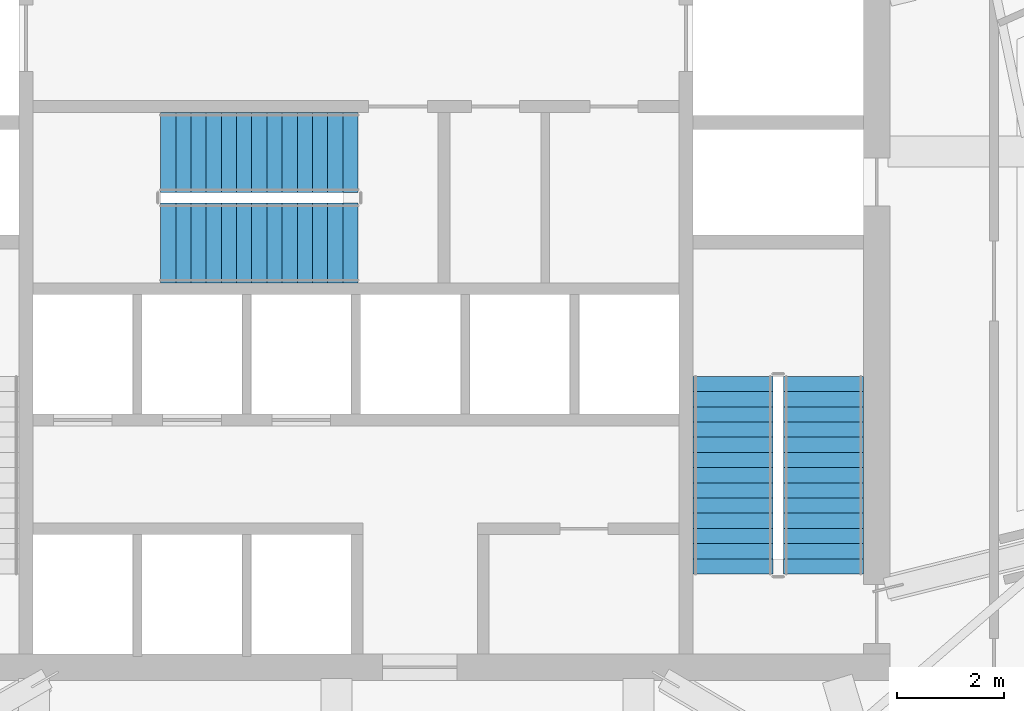
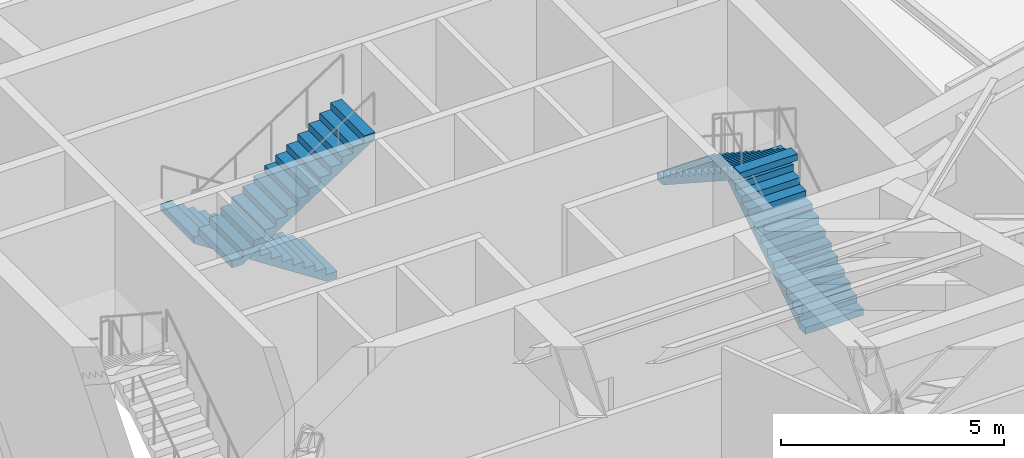
# One storey, part 10 of 12: 4 stair flights, 2 elements without a shape of their own.
"""IFC4 building model written with IfcOpenShell, lengths in metres."""

from ifc_helpers import new_model, si_unit, direction, frame, origin, place, context, subcontext, project, spatial, polyline, outline, extrude, material, type_object, element, aggregate, save


model = new_model("IFC4")

# Units and contexts
model_context = context("Model", 3, precision=1e-05, world=origin(), true_north=direction((0.0, 1.0)))
body_context = subcontext(model_context, "Body", "Model", "MODEL_VIEW")
ifc_project = project(units=[si_unit("LENGTHUNIT", "METRE"), si_unit("AREAUNIT", "SQUARE_METRE"), si_unit("VOLUMEUNIT", "CUBIC_METRE"), si_unit("PLANEANGLEUNIT", "RADIAN"), si_unit("MASSUNIT", "GRAM", prefix="KILO")], contexts=[model_context])

# Site, building, storey
site_placement = place(None, origin())
site = spatial("IfcSite", under=ifc_project, at=site_placement, CompositionType="ELEMENT")
building_placement = place(site_placement, origin())
building = spatial("IfcBuilding", under=site, at=building_placement, Name="Kavelnor Concourse Tower", CompositionType="ELEMENT")
storey_placement = place(building_placement, frame((0.0, 0.0, 75.300048828125)))
storey = spatial("IfcBuildingStorey", under=building, at=storey_placement, Name="L19", CompositionType="ELEMENT", Elevation=75.300048828125)

# Stair, stair flights
ifc_material = material(Name="Concrete C40/50", Category="concrete")
stair_type = type_object("IfcStairType", Name="STR-CORE-1500", PredefinedType="HALF_TURN_STAIR", material=ifc_material)
stair_1_placement = place(storey_placement, origin())
stair_1 = element("IfcStair", 1, at=stair_1_placement, inside=storey, type_object=stair_type, Name="L19 ST2", PredefinedType="HALF_TURN_STAIR")
stair_flight_type = type_object("IfcStairFlightType", Name="STR-FLIGHT-1500", PredefinedType="STRAIGHT", material=ifc_material)
stair_flight_1_placement = place(storey_placement, frame((46.77001953125, 11.10009765625, 0.0), z_axis=(0.0, 0.0, 1.0), x_axis=(0.0, 1.0, 0.0)))
stair_flight_1 = element("IfcStairFlight", 2, at=stair_flight_1_placement, type_object=stair_flight_type, Name="ST2 flight 1", NumberOfRisers=14, NumberOfTreads=13, PredefinedType="STRAIGHT", RiserHeight=0.185714286, TreadLength=0.285, context=body_context, shape_type="SweptSolid", body=[
    extrude(outline(polyline([(0.0, 0.0), (0.0, 0.185791015625), (0.284912109375, 0.185791015625), (0.284912109375, 0.371337890625), (0.570068359375, 0.371337890625), (0.570068359375, 0.55712890625), (0.85498046875, 0.55712890625), (0.85498046875, 0.742919921875), (1.139892578125, 0.742919921875), (1.139892578125, 0.928466796875), (1.425048828125, 0.928466796875), (1.425048828125, 1.1142578125), (1.7099609375, 1.1142578125), (1.7099609375, 1.300048828125), (1.9951171875, 1.300048828125), (1.9951171875, 1.485595703125), (2.280029296875, 1.485595703125), (2.280029296875, 1.67138671875), (2.56494140625, 1.67138671875), (2.56494140625, 1.857177734375), (2.85009765625, 1.857177734375), (2.85009765625, 2.04296875), (3.135009765625, 2.04296875), (3.135009765625, 2.228515625), (3.419921875, 2.228515625), (3.419921875, 2.414306640625), (3.705078125, 2.414306640625), (3.705078125, 2.60009765625), (3.705078125, 2.2353515625), (0.274658203125, 0.0), (0.0, 0.0)])), frame((0.0, 0.75, 0.0), z_axis=(0.0, -1.0, 0.0), x_axis=(1.0, 0.0, 0.0)), (0.0, 0.0, 1.0), 1.5),
])
stair_flight_2_placement = place(storey_placement, frame((45.070068359375, 14.804931640625, 2.599853515625), z_axis=(0.0, 0.0, 1.0), x_axis=(0.0, -1.0, 0.0)))
stair_flight_2 = element("IfcStairFlight", 3, at=stair_flight_2_placement, type_object=stair_flight_type, Name="ST2 flight 2", NumberOfRisers=14, NumberOfTreads=13, PredefinedType="STRAIGHT", RiserHeight=0.185714286, TreadLength=0.285, context=body_context, shape_type="SweptSolid", body=[
    extrude(outline(polyline([(0.0, 0.0), (0.0, 0.185791015625), (0.284912109375, 0.185791015625), (0.284912109375, 0.371337890625), (0.570068359375, 0.371337890625), (0.570068359375, 0.55712890625), (0.85498046875, 0.55712890625), (0.85498046875, 0.742919921875), (1.139892578125, 0.742919921875), (1.139892578125, 0.928466796875), (1.425048828125, 0.928466796875), (1.425048828125, 1.1142578125), (1.7099609375, 1.1142578125), (1.7099609375, 1.300048828125), (1.9951171875, 1.300048828125), (1.9951171875, 1.485595703125), (2.280029296875, 1.485595703125), (2.280029296875, 1.67138671875), (2.56494140625, 1.67138671875), (2.56494140625, 1.857177734375), (2.85009765625, 1.857177734375), (2.85009765625, 2.04296875), (3.135009765625, 2.04296875), (3.135009765625, 2.228515625), (3.419921875, 2.228515625), (3.419921875, 2.414306640625), (3.705078125, 2.414306640625), (3.705078125, 2.60009765625), (3.705078125, 2.2353515625), (0.274658203125, 0.0), (0.0, 0.0)])), frame((0.0, 0.75, 0.0), z_axis=(0.0, -1.0, 0.0), x_axis=(1.0, 0.0, 0.0)), (0.0, 0.0, 1.0), 1.5),
])
aggregate(stair_1, [stair_flight_1, stair_flight_2])

stair_2_placement = place(storey_placement, origin())
stair_2 = element("IfcStair", 4, at=stair_2_placement, inside=storey, type_object=stair_type, Name="L19 ST3", PredefinedType="HALF_TURN_STAIR")
stair_flight_3_placement = place(storey_placement, frame((38.0400390625, 19.010009765625, 0.0), z_axis=(0.0, 0.0, 1.0), x_axis=(-1.0, 0.0, 0.0)))
stair_flight_3 = element("IfcStairFlight", 5, at=stair_flight_3_placement, type_object=stair_flight_type, Name="ST3 flight 1", NumberOfRisers=14, NumberOfTreads=13, PredefinedType="STRAIGHT", RiserHeight=0.185714286, TreadLength=0.285, context=body_context, shape_type="SweptSolid", body=[
    extrude(outline(polyline([(0.0, 0.0), (0.0, 0.185791015625), (0.284912109375, 0.185791015625), (0.284912109375, 0.371337890625), (0.570068359375, 0.371337890625), (0.570068359375, 0.55712890625), (0.85498046875, 0.55712890625), (0.85498046875, 0.742919921875), (1.139892578125, 0.742919921875), (1.139892578125, 0.928466796875), (1.425048828125, 0.928466796875), (1.425048828125, 1.1142578125), (1.7099609375, 1.1142578125), (1.7099609375, 1.300048828125), (1.9951171875, 1.300048828125), (1.9951171875, 1.485595703125), (2.280029296875, 1.485595703125), (2.280029296875, 1.67138671875), (2.56494140625, 1.67138671875), (2.56494140625, 1.857177734375), (2.85009765625, 1.857177734375), (2.85009765625, 2.04296875), (3.135009765625, 2.04296875), (3.135009765625, 2.228515625), (3.419921875, 2.228515625), (3.419921875, 2.414306640625), (3.705078125, 2.414306640625), (3.705078125, 2.60009765625), (3.705078125, 2.2353515625), (0.274658203125, 0.0), (0.0, 0.0)])), frame((0.0, 0.75, 0.0), z_axis=(0.0, -1.0, 0.0), x_axis=(1.0, 0.0, 0.0)), (0.0, 0.0, 1.0), 1.5),
])
stair_flight_4_placement = place(storey_placement, frame((34.3349609375, 17.31005859375, 2.599853515625), z_axis=(0.0, 0.0, 1.0), x_axis=(1.0, 0.0, 0.0)))
stair_flight_4 = element("IfcStairFlight", 6, at=stair_flight_4_placement, type_object=stair_flight_type, Name="ST3 flight 2", NumberOfRisers=14, NumberOfTreads=13, PredefinedType="STRAIGHT", RiserHeight=0.185714286, TreadLength=0.285, context=body_context, shape_type="SweptSolid", body=[
    extrude(outline(polyline([(0.0, 0.0), (0.0, 0.185791015625), (0.284912109375, 0.185791015625), (0.284912109375, 0.371337890625), (0.570068359375, 0.371337890625), (0.570068359375, 0.55712890625), (0.85498046875, 0.55712890625), (0.85498046875, 0.742919921875), (1.139892578125, 0.742919921875), (1.139892578125, 0.928466796875), (1.425048828125, 0.928466796875), (1.425048828125, 1.1142578125), (1.7099609375, 1.1142578125), (1.7099609375, 1.300048828125), (1.9951171875, 1.300048828125), (1.9951171875, 1.485595703125), (2.280029296875, 1.485595703125), (2.280029296875, 1.67138671875), (2.56494140625, 1.67138671875), (2.56494140625, 1.857177734375), (2.85009765625, 1.857177734375), (2.85009765625, 2.04296875), (3.135009765625, 2.04296875), (3.135009765625, 2.228515625), (3.419921875, 2.228515625), (3.419921875, 2.414306640625), (3.705078125, 2.414306640625), (3.705078125, 2.60009765625), (3.705078125, 2.2353515625), (0.274658203125, 0.0), (0.0, 0.0)])), frame((0.0, 0.75, 0.0), z_axis=(0.0, -1.0, 0.0), x_axis=(1.0, 0.0, 0.0)), (0.0, 0.0, 1.0), 1.5),
])
aggregate(stair_2, [stair_flight_3, stair_flight_4])

save(model, "model.ifc")
